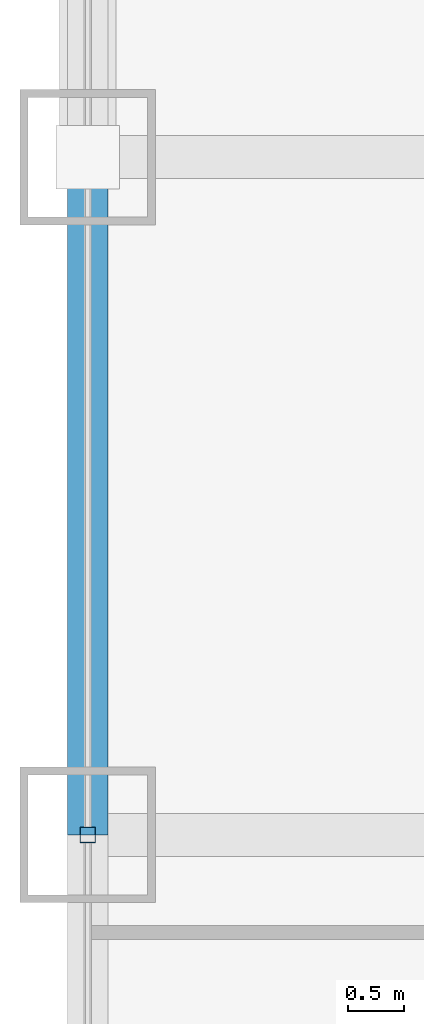
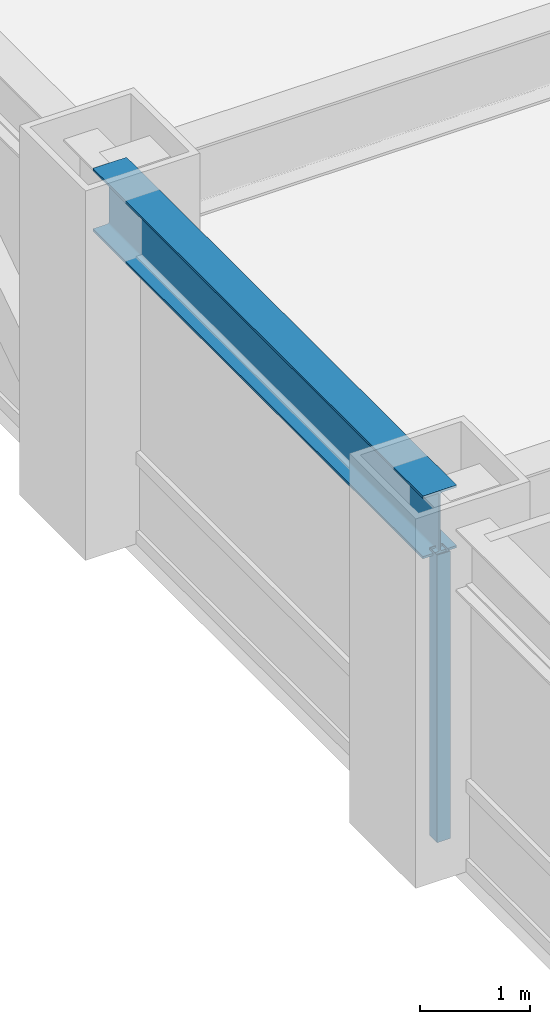
# One storey, part 8 of 27: 1 beam, 1 member, 1 element without a shape of its own.
"""IFC4 building model written with IfcOpenShell, lengths in metres."""

from ifc_helpers import new_model, si_unit, direction, frame, origin, origin_2d, place, context, subcontext, project, spatial, hollow_rectangle, i_section, extrude, source, transform, mapped, material, material_profile, profile_set, type_object, element, aggregate, save


model = new_model("IFC4")

# Units and contexts
model_context = context("Model", 3, precision=1e-05, world=origin(), true_north=direction((0.0, 1.0)))
body_context = subcontext(model_context, "Body", "Model", "MODEL_VIEW")
ifc_project = project(units=[si_unit("LENGTHUNIT", "METRE"), si_unit("AREAUNIT", "SQUARE_METRE"), si_unit("VOLUMEUNIT", "CUBIC_METRE"), si_unit("PLANEANGLEUNIT", "RADIAN"), si_unit("MASSUNIT", "GRAM", prefix="KILO")], contexts=[model_context])

# Site, building, storey
site_placement = place(None, origin())
site = spatial("IfcSite", under=ifc_project, at=site_placement, CompositionType="ELEMENT")
building_placement = place(site_placement, origin())
building = spatial("IfcBuilding", under=site, at=building_placement, Name="Khorayat Bourse Tower", CompositionType="ELEMENT")
storey_placement = place(building_placement, frame((0.0, 0.0, 103.699951171875)))
storey = spatial("IfcBuildingStorey", under=building, at=storey_placement, Name="L23", CompositionType="ELEMENT", Elevation=103.699951171875)

# Beam
ifc_material_1 = material(Name="Steel ASTM A992 Grade 50", Category="steel")
ifc_material_profile_1 = material_profile(ifc_material_1, i_section(OverallWidth=0.35498046875, OverallDepth=0.695068359375, WebThickness=0.015380859375, FlangeThickness=0.02490234375, FilletRadius=0.01806640625, at=origin_2d()), Name="W690X217")
ifc_profile_set_1 = profile_set([ifc_material_profile_1], Name="Steel ASTM A992 Grade 50")
beam_type = type_object("IfcBeamType", Name="BM-SPAN-690", PredefinedType="SPANDREL", material=ifc_profile_set_1)
shared_shape_1 = source(origin(), body_context, "Body", "SweptSolid", [
    extrude(i_section(OverallWidth=0.35498046875, OverallDepth=0.695068359375, WebThickness=0.015380859375, FlangeThickness=0.02490234375, FilletRadius=0.01806640625, at=origin_2d()), origin(), (0.0, 0.0, 1.0), 6.0),
])
beam_placement = place(storey_placement, frame((-32.0, 0.0, 3.492431640625), z_axis=(0.0, 1.0, 0.0), x_axis=(-1.0, 0.0, 0.0)))
element("IfcBeam", 1, at=beam_placement, inside=storey, type_object=beam_type, Name="L23 BM-SPAN-690 BM-L23-SPN-057", PredefinedType="SPANDREL", context=body_context, shape_type="MappedRepresentation", body=[
    mapped(shared_shape_1, transform((0.0, 0.0, 0.0), scale=1.0)),
])

# Curtain wall, member
ifc_material_2 = material(Name="Aluminium EN AW-6063 T6", Category="aluminium")
curtain_wall_type = type_object("IfcCurtainWallType", Name="CW-SYS-02", PredefinedType="NOTDEFINED", material=ifc_material_2)
curtain_wall_placement = place(storey_placement, origin())
curtain_wall = element("IfcCurtainWall", 2, at=curtain_wall_placement, inside=storey, type_object=curtain_wall_type, Name="L23 Curtain Wall CW-L23-W1", PredefinedType="NOTDEFINED")
ifc_material_profile_2 = material_profile(ifc_material_2, hollow_rectangle(XDim=0.139892578125, YDim=0.139892578125, WallThickness=0.006103515625, at=origin_2d()), Name="ALU 140x140x6")
ifc_profile_set_2 = profile_set([ifc_material_profile_2], Name="Aluminium EN AW-6063 T6")
member_type = type_object("IfcMemberType", Name="CWM-VERT-140", PredefinedType="MULLION", material=ifc_profile_set_2)
shared_shape_2 = source(origin(), body_context, "Body", "SweptSolid", [
    extrude(hollow_rectangle(XDim=0.139892578125, YDim=0.139892578125, WallThickness=0.006103515625, at=origin_2d()), origin(), (0.0, 0.0, 1.0), 3.18994140625),
])
member_placement = place(storey_placement, frame((-32.0, 0.0, 0.0), z_axis=(0.0, 0.0, 1.0), x_axis=(-1.0, 0.0, 0.0)))
member = element("IfcMember", 3, at=member_placement, type_object=member_type, Name="CW-L23-W1 Vertical Mullion 2", PredefinedType="MULLION", context=body_context, shape_type="MappedRepresentation", body=[
    mapped(shared_shape_2, transform((0.0, 0.0, 0.0), scale=1.0)),
])
aggregate(curtain_wall, [member])

save(model, "model.ifc")
